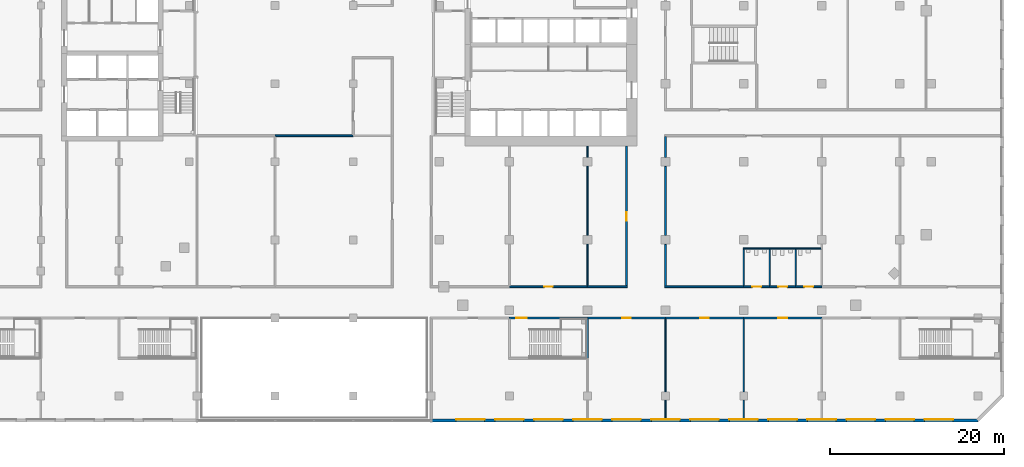
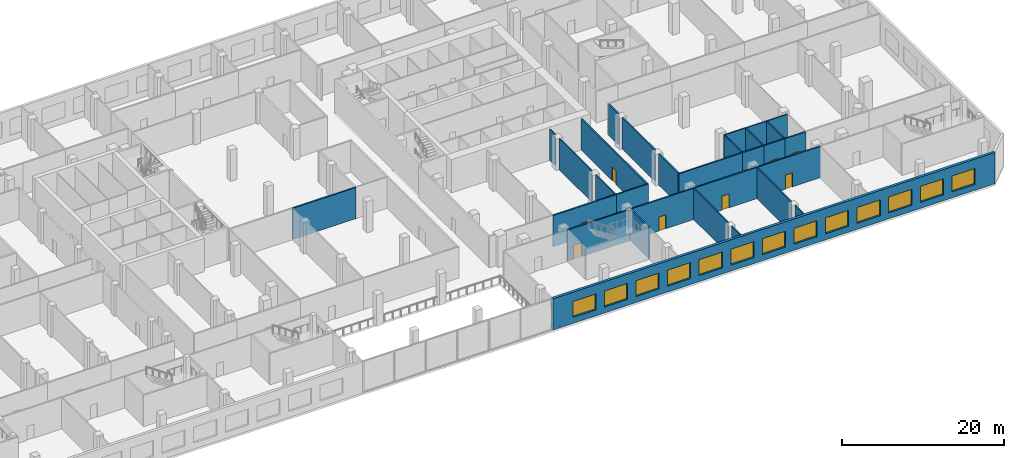
# One storey, part 11 of 23: 30 walls, 13 windows, 9 doors, 22 openings.
"""IFC4 building model written with IfcOpenShell, lengths in metres."""

from ifc_helpers import new_model, si_unit, direction, frame, frame_2d, origin, place, context, subcontext, project, spatial, rectangle, extrude, material, layer, layer_set, type_object, element, fill, save


model = new_model("IFC4")

# Units and contexts
model_context = context("Model", 3, precision=1e-05, world=origin(), true_north=direction((0.0, 1.0)))
body_context = subcontext(model_context, "Body", "Model", "MODEL_VIEW")
ifc_project = project(units=[si_unit("LENGTHUNIT", "METRE"), si_unit("AREAUNIT", "SQUARE_METRE"), si_unit("VOLUMEUNIT", "CUBIC_METRE"), si_unit("PLANEANGLEUNIT", "RADIAN"), si_unit("MASSUNIT", "GRAM", prefix="KILO")], contexts=[model_context])

# Site, building, storey
site_placement = place(None, origin())
site = spatial("IfcSite", under=ifc_project, at=site_placement, CompositionType="ELEMENT")
building_placement = place(site_placement, origin())
building = spatial("IfcBuilding", under=site, at=building_placement, Name="Cinnabar Reach Civic Tower", CompositionType="ELEMENT")
storey_placement = place(building_placement, frame((0.0, 0.0, 6.0)))
storey = spatial("IfcBuildingStorey", under=building, at=storey_placement, Name="L01", CompositionType="ELEMENT", Elevation=6.0)

# Wall, openings, windows
ifc_material_1 = material(Name="Facing brick with insulated backing", Category="masonry")
ifc_layer_1 = layer(ifc_material_1, 0.36)
ifc_layer_set_1 = layer_set([ifc_layer_1], Name="Brick pier and spandrel wall")
wall_type_1 = type_object("IfcWallType", Name="Brick pier and spandrel wall", PredefinedType="STANDARD", material=ifc_layer_set_1)
wall_1_placement = place(storey_placement, frame((0.0, -11.82, 0.0), z_axis=(0.0, 0.0, 1.0), x_axis=(1.0, 0.0, 0.0)))
wall_1 = element("IfcWall", 1, at=wall_1_placement, inside=storey, type_object=wall_type_1, Name="Brick facade wall", PredefinedType="STANDARD", context=body_context, shape_type="SweptSolid", body=[
    extrude(rectangle(XDim=63.0, YDim=0.36, at=frame_2d((31.5, 0.0))), origin(), (0.0, 0.0, 1.0), 4.7),
])
opening_1_placement = place(wall_1_placement, frame((2.85, 0.0, 0.9)))
opening_1 = element("IfcOpeningElement", 2, at=opening_1_placement, cuts=wall_1, Name="Opening W2862", PredefinedType="OPENING", context=body_context, shape_type="SweptSolid", body=[
    extrude(rectangle(XDim=3.3, YDim=2.4, at=frame_2d((1.65, 1.2))), frame((0.0, 0.19, 0.0), z_axis=(0.0, -1.0, 0.0), x_axis=(1.0, 0.0, 0.0)), (0.0, 0.0, 1.0), 0.38),
])
opening_2_placement = place(wall_1_placement, frame((7.35, 0.0, 0.9)))
opening_2 = element("IfcOpeningElement", 3, at=opening_2_placement, cuts=wall_1, Name="Opening W2863", PredefinedType="OPENING", context=body_context, shape_type="SweptSolid", body=[
    extrude(rectangle(XDim=3.3, YDim=2.4, at=frame_2d((1.65, 1.2))), frame((0.0, 0.19, 0.0), z_axis=(0.0, -1.0, 0.0), x_axis=(1.0, 0.0, 0.0)), (0.0, 0.0, 1.0), 0.38),
])
opening_3_placement = place(wall_1_placement, frame((11.85, 0.0, 0.9)))
opening_3 = element("IfcOpeningElement", 4, at=opening_3_placement, cuts=wall_1, Name="Opening W2864", PredefinedType="OPENING", context=body_context, shape_type="SweptSolid", body=[
    extrude(rectangle(XDim=3.3, YDim=2.4, at=frame_2d((1.65, 1.2))), frame((0.0, 0.19, 0.0), z_axis=(0.0, -1.0, 0.0), x_axis=(1.0, 0.0, 0.0)), (0.0, 0.0, 1.0), 0.38),
])
opening_4_placement = place(wall_1_placement, frame((16.35, 0.0, 0.9)))
opening_4 = element("IfcOpeningElement", 5, at=opening_4_placement, cuts=wall_1, Name="Opening W2865", PredefinedType="OPENING", context=body_context, shape_type="SweptSolid", body=[
    extrude(rectangle(XDim=3.3, YDim=2.4, at=frame_2d((1.65, 1.2))), frame((0.0, 0.19, 0.0), z_axis=(0.0, -1.0, 0.0), x_axis=(1.0, 0.0, 0.0)), (0.0, 0.0, 1.0), 0.38),
])
opening_5_placement = place(wall_1_placement, frame((20.85, 0.0, 0.9)))
opening_5 = element("IfcOpeningElement", 6, at=opening_5_placement, cuts=wall_1, Name="Opening W2866", PredefinedType="OPENING", context=body_context, shape_type="SweptSolid", body=[
    extrude(rectangle(XDim=3.3, YDim=2.4, at=frame_2d((1.65, 1.2))), frame((0.0, 0.19, 0.0), z_axis=(0.0, -1.0, 0.0), x_axis=(1.0, 0.0, 0.0)), (0.0, 0.0, 1.0), 0.38),
])
opening_6_placement = place(wall_1_placement, frame((25.35, 0.0, 0.9)))
opening_6 = element("IfcOpeningElement", 7, at=opening_6_placement, cuts=wall_1, Name="Opening W2867", PredefinedType="OPENING", context=body_context, shape_type="SweptSolid", body=[
    extrude(rectangle(XDim=3.3, YDim=2.4, at=frame_2d((1.65, 1.2))), frame((0.0, 0.19, 0.0), z_axis=(0.0, -1.0, 0.0), x_axis=(1.0, 0.0, 0.0)), (0.0, 0.0, 1.0), 0.38),
])
opening_7_placement = place(wall_1_placement, frame((29.85, 0.0, 0.9)))
opening_7 = element("IfcOpeningElement", 8, at=opening_7_placement, cuts=wall_1, Name="Opening W2868", PredefinedType="OPENING", context=body_context, shape_type="SweptSolid", body=[
    extrude(rectangle(XDim=3.3, YDim=2.4, at=frame_2d((1.65, 1.2))), frame((0.0, 0.19, 0.0), z_axis=(0.0, -1.0, 0.0), x_axis=(1.0, 0.0, 0.0)), (0.0, 0.0, 1.0), 0.38),
])
opening_8_placement = place(wall_1_placement, frame((34.35, 0.0, 0.9)))
opening_8 = element("IfcOpeningElement", 9, at=opening_8_placement, cuts=wall_1, Name="Opening W2869", PredefinedType="OPENING", context=body_context, shape_type="SweptSolid", body=[
    extrude(rectangle(XDim=3.3, YDim=2.4, at=frame_2d((1.65, 1.2))), frame((0.0, 0.19, 0.0), z_axis=(0.0, -1.0, 0.0), x_axis=(1.0, 0.0, 0.0)), (0.0, 0.0, 1.0), 0.38),
])
opening_9_placement = place(wall_1_placement, frame((38.85, 0.0, 0.9)))
opening_9 = element("IfcOpeningElement", 10, at=opening_9_placement, cuts=wall_1, Name="Opening W2870", PredefinedType="OPENING", context=body_context, shape_type="SweptSolid", body=[
    extrude(rectangle(XDim=3.3, YDim=2.4, at=frame_2d((1.65, 1.2))), frame((0.0, 0.19, 0.0), z_axis=(0.0, -1.0, 0.0), x_axis=(1.0, 0.0, 0.0)), (0.0, 0.0, 1.0), 0.38),
])
opening_10_placement = place(wall_1_placement, frame((43.35, 0.0, 0.9)))
opening_10 = element("IfcOpeningElement", 11, at=opening_10_placement, cuts=wall_1, Name="Opening W2871", PredefinedType="OPENING", context=body_context, shape_type="SweptSolid", body=[
    extrude(rectangle(XDim=3.3, YDim=2.4, at=frame_2d((1.65, 1.2))), frame((0.0, 0.19, 0.0), z_axis=(0.0, -1.0, 0.0), x_axis=(1.0, 0.0, 0.0)), (0.0, 0.0, 1.0), 0.38),
])
opening_11_placement = place(wall_1_placement, frame((47.85, 0.0, 0.9)))
opening_11 = element("IfcOpeningElement", 12, at=opening_11_placement, cuts=wall_1, Name="Opening W2872", PredefinedType="OPENING", context=body_context, shape_type="SweptSolid", body=[
    extrude(rectangle(XDim=3.3, YDim=2.4, at=frame_2d((1.65, 1.2))), frame((0.0, 0.19, 0.0), z_axis=(0.0, -1.0, 0.0), x_axis=(1.0, 0.0, 0.0)), (0.0, 0.0, 1.0), 0.38),
])
opening_12_placement = place(wall_1_placement, frame((52.35, 0.0, 0.9)))
opening_12 = element("IfcOpeningElement", 13, at=opening_12_placement, cuts=wall_1, Name="Opening W2873", PredefinedType="OPENING", context=body_context, shape_type="SweptSolid", body=[
    extrude(rectangle(XDim=3.3, YDim=2.4, at=frame_2d((1.65, 1.2))), frame((0.0, 0.19, 0.0), z_axis=(0.0, -1.0, 0.0), x_axis=(1.0, 0.0, 0.0)), (0.0, 0.0, 1.0), 0.38),
])
opening_13_placement = place(wall_1_placement, frame((56.85, 0.0, 0.9)))
opening_13 = element("IfcOpeningElement", 14, at=opening_13_placement, cuts=wall_1, Name="Opening W2874", PredefinedType="OPENING", context=body_context, shape_type="SweptSolid", body=[
    extrude(rectangle(XDim=3.3, YDim=2.4, at=frame_2d((1.65, 1.2))), frame((0.0, 0.19, 0.0), z_axis=(0.0, -1.0, 0.0), x_axis=(1.0, 0.0, 0.0)), (0.0, 0.0, 1.0), 0.38),
])
ifc_material_2 = material(Name="Clear double glazing in aluminium frame", Category="aluminium")
window_type = type_object("IfcWindowType", Name="Podium window P", PartitioningType="SINGLE_PANEL", PredefinedType="WINDOW", material=ifc_material_2)
window_1_placement = place(opening_1_placement, origin())
window_1 = element("IfcWindow", 15, at=window_1_placement, inside=storey, type_object=window_type, Name="Window south face", OverallHeight=2.4, OverallWidth=3.3, PartitioningType="SINGLE_PANEL", PredefinedType="WINDOW", context=body_context, shape_type="SweptSolid", body=[
    extrude(rectangle(XDim=3.3, YDim=2.4, at=frame_2d((1.65, 1.2))), frame((0.0, 0.13, 0.0), z_axis=(0.0, -1.0, 0.0), x_axis=(1.0, 0.0, 0.0)), (0.0, 0.0, 1.0), 0.06),
])
fill(opening_1, window_1)
window_2_placement = place(opening_2_placement, origin())
window_2 = element("IfcWindow", 16, at=window_2_placement, inside=storey, type_object=window_type, Name="Window south face", OverallHeight=2.4, OverallWidth=3.3, PartitioningType="SINGLE_PANEL", PredefinedType="WINDOW", context=body_context, shape_type="SweptSolid", body=[
    extrude(rectangle(XDim=3.3, YDim=2.4, at=frame_2d((1.65, 1.2))), frame((0.0, 0.13, 0.0), z_axis=(0.0, -1.0, 0.0), x_axis=(1.0, 0.0, 0.0)), (0.0, 0.0, 1.0), 0.06),
])
fill(opening_2, window_2)
window_3_placement = place(opening_3_placement, origin())
window_3 = element("IfcWindow", 17, at=window_3_placement, inside=storey, type_object=window_type, Name="Window south face", OverallHeight=2.4, OverallWidth=3.3, PartitioningType="SINGLE_PANEL", PredefinedType="WINDOW", context=body_context, shape_type="SweptSolid", body=[
    extrude(rectangle(XDim=3.3, YDim=2.4, at=frame_2d((1.65, 1.2))), frame((0.0, 0.13, 0.0), z_axis=(0.0, -1.0, 0.0), x_axis=(1.0, 0.0, 0.0)), (0.0, 0.0, 1.0), 0.06),
])
fill(opening_3, window_3)
window_4_placement = place(opening_4_placement, origin())
window_4 = element("IfcWindow", 18, at=window_4_placement, inside=storey, type_object=window_type, Name="Window south face", OverallHeight=2.4, OverallWidth=3.3, PartitioningType="SINGLE_PANEL", PredefinedType="WINDOW", context=body_context, shape_type="SweptSolid", body=[
    extrude(rectangle(XDim=3.3, YDim=2.4, at=frame_2d((1.65, 1.2))), frame((0.0, 0.13, 0.0), z_axis=(0.0, -1.0, 0.0), x_axis=(1.0, 0.0, 0.0)), (0.0, 0.0, 1.0), 0.06),
])
fill(opening_4, window_4)
window_5_placement = place(opening_5_placement, origin())
window_5 = element("IfcWindow", 19, at=window_5_placement, inside=storey, type_object=window_type, Name="Window south face", OverallHeight=2.4, OverallWidth=3.3, PartitioningType="SINGLE_PANEL", PredefinedType="WINDOW", context=body_context, shape_type="SweptSolid", body=[
    extrude(rectangle(XDim=3.3, YDim=2.4, at=frame_2d((1.65, 1.2))), frame((0.0, 0.13, 0.0), z_axis=(0.0, -1.0, 0.0), x_axis=(1.0, 0.0, 0.0)), (0.0, 0.0, 1.0), 0.06),
])
fill(opening_5, window_5)
window_6_placement = place(opening_6_placement, origin())
window_6 = element("IfcWindow", 20, at=window_6_placement, inside=storey, type_object=window_type, Name="Window south face", OverallHeight=2.4, OverallWidth=3.3, PartitioningType="SINGLE_PANEL", PredefinedType="WINDOW", context=body_context, shape_type="SweptSolid", body=[
    extrude(rectangle(XDim=3.3, YDim=2.4, at=frame_2d((1.65, 1.2))), frame((0.0, 0.13, 0.0), z_axis=(0.0, -1.0, 0.0), x_axis=(1.0, 0.0, 0.0)), (0.0, 0.0, 1.0), 0.06),
])
fill(opening_6, window_6)
window_7_placement = place(opening_7_placement, origin())
window_7 = element("IfcWindow", 21, at=window_7_placement, inside=storey, type_object=window_type, Name="Window south face", OverallHeight=2.4, OverallWidth=3.3, PartitioningType="SINGLE_PANEL", PredefinedType="WINDOW", context=body_context, shape_type="SweptSolid", body=[
    extrude(rectangle(XDim=3.3, YDim=2.4, at=frame_2d((1.65, 1.2))), frame((0.0, 0.13, 0.0), z_axis=(0.0, -1.0, 0.0), x_axis=(1.0, 0.0, 0.0)), (0.0, 0.0, 1.0), 0.06),
])
fill(opening_7, window_7)
window_8_placement = place(opening_8_placement, origin())
window_8 = element("IfcWindow", 22, at=window_8_placement, inside=storey, type_object=window_type, Name="Window south face", OverallHeight=2.4, OverallWidth=3.3, PartitioningType="SINGLE_PANEL", PredefinedType="WINDOW", context=body_context, shape_type="SweptSolid", body=[
    extrude(rectangle(XDim=3.3, YDim=2.4, at=frame_2d((1.65, 1.2))), frame((0.0, 0.13, 0.0), z_axis=(0.0, -1.0, 0.0), x_axis=(1.0, 0.0, 0.0)), (0.0, 0.0, 1.0), 0.06),
])
fill(opening_8, window_8)
window_9_placement = place(opening_9_placement, origin())
window_9 = element("IfcWindow", 23, at=window_9_placement, inside=storey, type_object=window_type, Name="Window south face", OverallHeight=2.4, OverallWidth=3.3, PartitioningType="SINGLE_PANEL", PredefinedType="WINDOW", context=body_context, shape_type="SweptSolid", body=[
    extrude(rectangle(XDim=3.3, YDim=2.4, at=frame_2d((1.65, 1.2))), frame((0.0, 0.13, 0.0), z_axis=(0.0, -1.0, 0.0), x_axis=(1.0, 0.0, 0.0)), (0.0, 0.0, 1.0), 0.06),
])
fill(opening_9, window_9)
window_10_placement = place(opening_10_placement, origin())
window_10 = element("IfcWindow", 24, at=window_10_placement, inside=storey, type_object=window_type, Name="Window south face", OverallHeight=2.4, OverallWidth=3.3, PartitioningType="SINGLE_PANEL", PredefinedType="WINDOW", context=body_context, shape_type="SweptSolid", body=[
    extrude(rectangle(XDim=3.3, YDim=2.4, at=frame_2d((1.65, 1.2))), frame((0.0, 0.13, 0.0), z_axis=(0.0, -1.0, 0.0), x_axis=(1.0, 0.0, 0.0)), (0.0, 0.0, 1.0), 0.06),
])
fill(opening_10, window_10)
window_11_placement = place(opening_11_placement, origin())
window_11 = element("IfcWindow", 25, at=window_11_placement, inside=storey, type_object=window_type, Name="Window south face", OverallHeight=2.4, OverallWidth=3.3, PartitioningType="SINGLE_PANEL", PredefinedType="WINDOW", context=body_context, shape_type="SweptSolid", body=[
    extrude(rectangle(XDim=3.3, YDim=2.4, at=frame_2d((1.65, 1.2))), frame((0.0, 0.13, 0.0), z_axis=(0.0, -1.0, 0.0), x_axis=(1.0, 0.0, 0.0)), (0.0, 0.0, 1.0), 0.06),
])
fill(opening_11, window_11)
window_12_placement = place(opening_12_placement, origin())
window_12 = element("IfcWindow", 26, at=window_12_placement, inside=storey, type_object=window_type, Name="Window south face", OverallHeight=2.4, OverallWidth=3.3, PartitioningType="SINGLE_PANEL", PredefinedType="WINDOW", context=body_context, shape_type="SweptSolid", body=[
    extrude(rectangle(XDim=3.3, YDim=2.4, at=frame_2d((1.65, 1.2))), frame((0.0, 0.13, 0.0), z_axis=(0.0, -1.0, 0.0), x_axis=(1.0, 0.0, 0.0)), (0.0, 0.0, 1.0), 0.06),
])
fill(opening_12, window_12)
window_13_placement = place(opening_13_placement, origin())
window_13 = element("IfcWindow", 27, at=window_13_placement, inside=storey, type_object=window_type, Name="Window south face", OverallHeight=2.4, OverallWidth=3.3, PartitioningType="SINGLE_PANEL", PredefinedType="WINDOW", context=body_context, shape_type="SweptSolid", body=[
    extrude(rectangle(XDim=3.3, YDim=2.4, at=frame_2d((1.65, 1.2))), frame((0.0, 0.13, 0.0), z_axis=(0.0, -1.0, 0.0), x_axis=(1.0, 0.0, 0.0)), (0.0, 0.0, 1.0), 0.06),
])
fill(opening_13, window_13)

# Wall, opening, door
ifc_material_3 = material(Name="Concrete blockwork", Category="masonry")
ifc_layer_2 = layer(ifc_material_3, 0.2)
ifc_layer_set_2 = layer_set([ifc_layer_2], Name="Podium masonry corridor wall 200 EI 120")
wall_type_2 = type_object("IfcWallType", Name="Podium masonry corridor wall 200 EI 120", PredefinedType="PARTITIONING", material=ifc_layer_set_2)
wall_2_placement = place(storey_placement, frame((18.0, 0.0, 0.0), z_axis=(0.0, 0.0, 1.0), x_axis=(1.0, 0.0, 0.0)))
wall_2 = element("IfcWall", 28, at=wall_2_placement, inside=storey, type_object=wall_type_2, Name="Wall L01 55", PredefinedType="PARTITIONING", context=body_context, shape_type="SweptSolid", body=[
    extrude(rectangle(XDim=9.0, YDim=0.2, at=frame_2d((4.5, 0.0))), origin(), (0.0, 0.0, 1.0), 4.7),
])
opening_14_placement = place(wall_2_placement, frame((4.0, 0.0, 0.0)))
opening_14 = element("IfcOpeningElement", 29, at=opening_14_placement, cuts=wall_2, Name="Opening D1054", PredefinedType="OPENING", context=body_context, shape_type="SweptSolid", body=[
    extrude(rectangle(XDim=1.0, YDim=2.1, at=frame_2d((0.5, 1.05))), frame((0.0, 0.11, 0.0), z_axis=(0.0, -1.0, 0.0), x_axis=(1.0, 0.0, 0.0)), (0.0, 0.0, 1.0), 0.22),
])
ifc_material_4 = material(Name="Painted steel door leaf", Category="steel")
door_type_1 = type_object("IfcDoorType", Name="Podium single door 1000x2100", OperationType="SINGLE_SWING_LEFT", PredefinedType="DOOR", material=ifc_material_4)
door_1_placement = place(opening_14_placement, frame((1.0, 0.0, 0.0), z_axis=(0.0, 0.0, 1.0), x_axis=(-1.0, 0.0, 0.0)))
door_1 = element("IfcDoor", 30, at=door_1_placement, inside=storey, type_object=door_type_1, Name="Door D1054", OperationType="SINGLE_SWING_RIGHT", OverallHeight=2.1, OverallWidth=1.0, PredefinedType="DOOR", context=body_context, shape_type="SweptSolid", body=[
    extrude(rectangle(XDim=1.0, YDim=2.1, at=frame_2d((0.5, 1.05))), frame((0.0, 0.025, 0.0), z_axis=(0.0, -1.0, 0.0), x_axis=(1.0, 0.0, 0.0)), (0.0, 0.0, 1.0), 0.05),
])
fill(opening_14, door_1)

wall_3_placement = place(storey_placement, frame((27.0, 0.0, 0.0), z_axis=(0.0, 0.0, 1.0), x_axis=(1.0, 0.0, 0.0)))
wall_3 = element("IfcWall", 31, at=wall_3_placement, inside=storey, type_object=wall_type_2, Name="Wall L01 56", PredefinedType="PARTITIONING", context=body_context, shape_type="SweptSolid", body=[
    extrude(rectangle(XDim=9.0, YDim=0.2, at=frame_2d((4.5, 0.0))), origin(), (0.0, 0.0, 1.0), 4.7),
])
opening_15_placement = place(wall_3_placement, frame((4.0, 0.0, 0.0)))
opening_15 = element("IfcOpeningElement", 32, at=opening_15_placement, cuts=wall_3, Name="Opening D1055", PredefinedType="OPENING", context=body_context, shape_type="SweptSolid", body=[
    extrude(rectangle(XDim=1.0, YDim=2.1, at=frame_2d((0.5, 1.05))), frame((0.0, 0.11, 0.0), z_axis=(0.0, -1.0, 0.0), x_axis=(1.0, 0.0, 0.0)), (0.0, 0.0, 1.0), 0.22),
])
door_2_placement = place(opening_15_placement, origin())
door_2 = element("IfcDoor", 33, at=door_2_placement, inside=storey, type_object=door_type_1, Name="Door D1055", OperationType="SINGLE_SWING_LEFT", OverallHeight=2.1, OverallWidth=1.0, PredefinedType="DOOR", context=body_context, shape_type="SweptSolid", body=[
    extrude(rectangle(XDim=1.0, YDim=2.1, at=frame_2d((0.5, 1.05))), frame((0.0, 0.025, 0.0), z_axis=(0.0, -1.0, 0.0), x_axis=(1.0, 0.0, 0.0)), (0.0, 0.0, 1.0), 0.05),
])
fill(opening_15, door_2)

wall_4_placement = place(storey_placement, frame((36.0, 0.0, 0.0), z_axis=(0.0, 0.0, 1.0), x_axis=(1.0, 0.0, 0.0)))
wall_4 = element("IfcWall", 34, at=wall_4_placement, inside=storey, type_object=wall_type_2, Name="Wall L01 57", PredefinedType="PARTITIONING", context=body_context, shape_type="SweptSolid", body=[
    extrude(rectangle(XDim=9.0, YDim=0.2, at=frame_2d((4.5, 0.0))), origin(), (0.0, 0.0, 1.0), 4.7),
])
opening_16_placement = place(wall_4_placement, frame((4.0, 0.0, 0.0)))
opening_16 = element("IfcOpeningElement", 35, at=opening_16_placement, cuts=wall_4, Name="Opening D1056", PredefinedType="OPENING", context=body_context, shape_type="SweptSolid", body=[
    extrude(rectangle(XDim=1.0, YDim=2.1, at=frame_2d((0.5, 1.05))), frame((0.0, 0.11, 0.0), z_axis=(0.0, -1.0, 0.0), x_axis=(1.0, 0.0, 0.0)), (0.0, 0.0, 1.0), 0.22),
])
door_3_placement = place(opening_16_placement, frame((1.0, 0.0, 0.0), z_axis=(0.0, 0.0, 1.0), x_axis=(-1.0, 0.0, 0.0)))
door_3 = element("IfcDoor", 36, at=door_3_placement, inside=storey, type_object=door_type_1, Name="Door D1056", OperationType="SINGLE_SWING_RIGHT", OverallHeight=2.1, OverallWidth=1.0, PredefinedType="DOOR", context=body_context, shape_type="SweptSolid", body=[
    extrude(rectangle(XDim=1.0, YDim=2.1, at=frame_2d((0.5, 1.05))), frame((0.0, 0.025, 0.0), z_axis=(0.0, -1.0, 0.0), x_axis=(1.0, 0.0, 0.0)), (0.0, 0.0, 1.0), 0.05),
])
fill(opening_16, door_3)

wall_5_placement = place(storey_placement, frame((9.0, 3.6, 0.0), z_axis=(0.0, 0.0, 1.0), x_axis=(1.0, 0.0, 0.0)))
wall_5 = element("IfcWall", 37, at=wall_5_placement, inside=storey, type_object=wall_type_2, Name="Wall L01 61", PredefinedType="PARTITIONING", context=body_context, shape_type="SweptSolid", body=[
    extrude(rectangle(XDim=9.0, YDim=0.2, at=frame_2d((4.5, 0.0))), origin(), (0.0, 0.0, 1.0), 4.7),
])
opening_17_placement = place(wall_5_placement, frame((4.0, 0.0, 0.0)))
opening_17 = element("IfcOpeningElement", 38, at=opening_17_placement, cuts=wall_5, Name="Opening D1065", PredefinedType="OPENING", context=body_context, shape_type="SweptSolid", body=[
    extrude(rectangle(XDim=1.0, YDim=2.1, at=frame_2d((0.5, 1.05))), frame((0.0, 0.11, 0.0), z_axis=(0.0, -1.0, 0.0), x_axis=(1.0, 0.0, 0.0)), (0.0, 0.0, 1.0), 0.22),
])
door_4_placement = place(opening_17_placement, origin())
door_4 = element("IfcDoor", 39, at=door_4_placement, inside=storey, type_object=door_type_1, Name="Door D1065", OperationType="SINGLE_SWING_RIGHT", OverallHeight=2.1, OverallWidth=1.0, PredefinedType="DOOR", context=body_context, shape_type="SweptSolid", body=[
    extrude(rectangle(XDim=1.0, YDim=2.1, at=frame_2d((0.5, 1.05))), frame((0.0, 0.025, 0.0), z_axis=(0.0, -1.0, 0.0), x_axis=(1.0, 0.0, 0.0)), (0.0, 0.0, 1.0), 0.05),
])
fill(opening_17, door_4)

# Walls
wall_6_placement = place(storey_placement, frame((18.0, 3.6, 0.0), z_axis=(0.0, 0.0, 1.0), x_axis=(1.0, 0.0, 0.0)))
element("IfcWall", 40, at=wall_6_placement, inside=storey, type_object=wall_type_2, Name="Wall L01 62", PredefinedType="PARTITIONING", context=body_context, shape_type="SweptSolid", body=[
    extrude(rectangle(XDim=4.6, YDim=0.2, at=frame_2d((2.3, 0.0))), origin(), (0.0, 0.0, 1.0), 4.7),
])
wall_7_placement = place(storey_placement, frame((26.9, 3.6, 0.0), z_axis=(0.0, 0.0, 1.0), x_axis=(1.0, 0.0, 0.0)))
element("IfcWall", 41, at=wall_7_placement, inside=storey, type_object=wall_type_2, Name="Wall L01 63", PredefinedType="PARTITIONING", context=body_context, shape_type="SweptSolid", body=[
    extrude(rectangle(XDim=9.1, YDim=0.2, at=frame_2d((4.55, 0.0))), origin(), (0.0, 0.0, 1.0), 4.7),
])

# Wall, opening, door
wall_8_placement = place(storey_placement, frame((36.0, 3.6, 0.0), z_axis=(0.0, 0.0, 1.0), x_axis=(1.0, 0.0, 0.0)))
wall_8 = element("IfcWall", 42, at=wall_8_placement, inside=storey, type_object=wall_type_2, Name="Wall L01 64", PredefinedType="PARTITIONING", context=body_context, shape_type="SweptSolid", body=[
    extrude(rectangle(XDim=3.0, YDim=0.2, at=frame_2d((1.5, 0.0))), origin(), (0.0, 0.0, 1.0), 4.7),
])
opening_18_placement = place(wall_8_placement, frame((1.0, 0.0, 0.0)))
opening_18 = element("IfcOpeningElement", 43, at=opening_18_placement, cuts=wall_8, Name="Opening D1068", PredefinedType="OPENING", context=body_context, shape_type="SweptSolid", body=[
    extrude(rectangle(XDim=1.0, YDim=2.1, at=frame_2d((0.5, 1.05))), frame((0.0, 0.11, 0.0), z_axis=(0.0, -1.0, 0.0), x_axis=(1.0, 0.0, 0.0)), (0.0, 0.0, 1.0), 0.22),
])
door_5_placement = place(opening_18_placement, origin())
door_5 = element("IfcDoor", 44, at=door_5_placement, inside=storey, type_object=door_type_1, Name="Door D1068", OperationType="SINGLE_SWING_RIGHT", OverallHeight=2.1, OverallWidth=1.0, PredefinedType="DOOR", context=body_context, shape_type="SweptSolid", body=[
    extrude(rectangle(XDim=1.0, YDim=2.1, at=frame_2d((0.5, 1.05))), frame((0.0, 0.025, 0.0), z_axis=(0.0, -1.0, 0.0), x_axis=(1.0, 0.0, 0.0)), (0.0, 0.0, 1.0), 0.05),
])
fill(opening_18, door_5)

wall_9_placement = place(storey_placement, frame((39.0, 3.6, 0.0), z_axis=(0.0, 0.0, 1.0), x_axis=(1.0, 0.0, 0.0)))
wall_9 = element("IfcWall", 45, at=wall_9_placement, inside=storey, type_object=wall_type_2, Name="Wall L01 65", PredefinedType="PARTITIONING", context=body_context, shape_type="SweptSolid", body=[
    extrude(rectangle(XDim=3.0, YDim=0.2, at=frame_2d((1.5, 0.0))), origin(), (0.0, 0.0, 1.0), 4.7),
])
opening_19_placement = place(wall_9_placement, frame((1.0, 0.0, 0.0)))
opening_19 = element("IfcOpeningElement", 46, at=opening_19_placement, cuts=wall_9, Name="Opening D1069", PredefinedType="OPENING", context=body_context, shape_type="SweptSolid", body=[
    extrude(rectangle(XDim=1.0, YDim=2.1, at=frame_2d((0.5, 1.05))), frame((0.0, 0.11, 0.0), z_axis=(0.0, -1.0, 0.0), x_axis=(1.0, 0.0, 0.0)), (0.0, 0.0, 1.0), 0.22),
])
door_6_placement = place(opening_19_placement, origin())
door_6 = element("IfcDoor", 47, at=door_6_placement, inside=storey, type_object=door_type_1, Name="Door D1069", OperationType="SINGLE_SWING_LEFT", OverallHeight=2.1, OverallWidth=1.0, PredefinedType="DOOR", context=body_context, shape_type="SweptSolid", body=[
    extrude(rectangle(XDim=1.0, YDim=2.1, at=frame_2d((0.5, 1.05))), frame((0.0, 0.025, 0.0), z_axis=(0.0, -1.0, 0.0), x_axis=(1.0, 0.0, 0.0)), (0.0, 0.0, 1.0), 0.05),
])
fill(opening_19, door_6)

wall_10_placement = place(storey_placement, frame((42.0, 3.6, 0.0), z_axis=(0.0, 0.0, 1.0), x_axis=(1.0, 0.0, 0.0)))
wall_10 = element("IfcWall", 48, at=wall_10_placement, inside=storey, type_object=wall_type_2, Name="Wall L01 66", PredefinedType="PARTITIONING", context=body_context, shape_type="SweptSolid", body=[
    extrude(rectangle(XDim=3.0, YDim=0.2, at=frame_2d((1.5, 0.0))), origin(), (0.0, 0.0, 1.0), 4.7),
])
opening_20_placement = place(wall_10_placement, frame((1.0, 0.0, 0.0)))
opening_20 = element("IfcOpeningElement", 49, at=opening_20_placement, cuts=wall_10, Name="Opening D1070", PredefinedType="OPENING", context=body_context, shape_type="SweptSolid", body=[
    extrude(rectangle(XDim=1.0, YDim=2.1, at=frame_2d((0.5, 1.05))), frame((0.0, 0.11, 0.0), z_axis=(0.0, -1.0, 0.0), x_axis=(1.0, 0.0, 0.0)), (0.0, 0.0, 1.0), 0.22),
])
door_7_placement = place(opening_20_placement, origin())
door_7 = element("IfcDoor", 50, at=door_7_placement, inside=storey, type_object=door_type_1, Name="Door D1070", OperationType="SINGLE_SWING_RIGHT", OverallHeight=2.1, OverallWidth=1.0, PredefinedType="DOOR", context=body_context, shape_type="SweptSolid", body=[
    extrude(rectangle(XDim=1.0, YDim=2.1, at=frame_2d((0.5, 1.05))), frame((0.0, 0.025, 0.0), z_axis=(0.0, -1.0, 0.0), x_axis=(1.0, 0.0, 0.0)), (0.0, 0.0, 1.0), 0.05),
])
fill(opening_20, door_7)

wall_11_placement = place(storey_placement, frame((22.5, 3.7, 0.0), z_axis=(0.0, 0.0, 1.0), x_axis=(0.0, 1.0, 0.0)))
wall_11 = element("IfcWall", 51, at=wall_11_placement, inside=storey, type_object=wall_type_2, Name="Wall L01 109", PredefinedType="PARTITIONING", context=body_context, shape_type="SweptSolid", body=[
    extrude(rectangle(XDim=16.1, YDim=0.2, at=frame_2d((8.05, 0.0))), origin(), (0.0, 0.0, 1.0), 4.7),
])
opening_21_placement = place(wall_11_placement, frame((7.5, 0.0, 0.0)))
opening_21 = element("IfcOpeningElement", 52, at=opening_21_placement, cuts=wall_11, Name="Opening D1066", PredefinedType="OPENING", context=body_context, shape_type="SweptSolid", body=[
    extrude(rectangle(XDim=1.0, YDim=2.1, at=frame_2d((0.5, 1.05))), frame((0.0, 0.11, 0.0), z_axis=(0.0, -1.0, 0.0), x_axis=(1.0, 0.0, 0.0)), (0.0, 0.0, 1.0), 0.22),
])
door_8_placement = place(opening_21_placement, origin())
door_8 = element("IfcDoor", 53, at=door_8_placement, inside=storey, type_object=door_type_1, Name="Door D1066", OperationType="SINGLE_SWING_LEFT", OverallHeight=2.1, OverallWidth=1.0, PredefinedType="DOOR", context=body_context, shape_type="SweptSolid", body=[
    extrude(rectangle(XDim=1.0, YDim=2.1, at=frame_2d((0.5, 1.05))), frame((0.0, 0.025, 0.0), z_axis=(0.0, -1.0, 0.0), x_axis=(1.0, 0.0, 0.0)), (0.0, 0.0, 1.0), 0.05),
])
fill(opening_21, door_8)

# Walls
wall_12_placement = place(storey_placement, frame((27.0, 3.7, 0.0), z_axis=(0.0, 0.0, 1.0), x_axis=(0.0, 1.0, 0.0)))
element("IfcWall", 54, at=wall_12_placement, inside=storey, type_object=wall_type_2, Name="Wall L01 110", PredefinedType="PARTITIONING", context=body_context, shape_type="SweptSolid", body=[
    extrude(rectangle(XDim=4.78, YDim=0.2, at=frame_2d((2.39, 0.0))), origin(), (0.0, 0.0, 1.0), 4.7),
])
wall_13_placement = place(storey_placement, frame((27.0, 9.52, 0.0), z_axis=(0.0, 0.0, 1.0), x_axis=(0.0, 1.0, 0.0)))
element("IfcWall", 55, at=wall_13_placement, inside=storey, type_object=wall_type_2, Name="Wall L01 111", PredefinedType="PARTITIONING", context=body_context, shape_type="SweptSolid", body=[
    extrude(rectangle(XDim=7.96, YDim=0.2, at=frame_2d((3.98, 0.0))), origin(), (0.0, 0.0, 1.0), 4.7),
])
wall_14_placement = place(storey_placement, frame((27.0, 18.52, 0.0), z_axis=(0.0, 0.0, 1.0), x_axis=(0.0, 1.0, 0.0)))
element("IfcWall", 56, at=wall_14_placement, inside=storey, type_object=wall_type_2, Name="Wall L01 112", PredefinedType="PARTITIONING", context=body_context, shape_type="SweptSolid", body=[
    extrude(rectangle(XDim=2.38, YDim=0.2, at=frame_2d((1.19, 0.0))), origin(), (0.0, 0.0, 1.0), 4.7),
])
wall_15_placement = place(storey_placement, frame((-18.0, 21.0, 0.0), z_axis=(0.0, 0.0, 1.0), x_axis=(1.0, 0.0, 0.0)))
element("IfcWall", 57, at=wall_15_placement, inside=storey, type_object=wall_type_2, Name="Wall L01 137", PredefinedType="PARTITIONING", context=body_context, shape_type="SweptSolid", body=[
    extrude(rectangle(XDim=9.0, YDim=0.2, at=frame_2d((4.5, 0.0))), origin(), (0.0, 0.0, 1.0), 4.7),
])
ifc_material_5 = material(Name="Gypsum board on steel studs", Category="steel")
ifc_layer_3 = layer(ifc_material_5, 0.15)
ifc_layer_set_3 = layer_set([ifc_layer_3], Name="Podium partition wall 150 EI 90")
wall_type_3 = type_object("IfcWallType", Name="Podium partition wall 150 EI 90", PredefinedType="PARTITIONING", material=ifc_layer_set_3)
wall_16_placement = place(storey_placement, frame((27.0, -11.6, 0.0), z_axis=(0.0, 0.0, 1.0), x_axis=(0.0, 1.0, 0.0)))
element("IfcWall", 58, at=wall_16_placement, inside=storey, type_object=wall_type_3, Name="Wall L01 165", PredefinedType="PARTITIONING", context=body_context, shape_type="SweptSolid", body=[
    extrude(rectangle(XDim=2.13, YDim=0.15, at=frame_2d((1.065, 0.0))), origin(), (0.0, 0.0, 1.0), 4.7),
])
wall_17_placement = place(storey_placement, frame((27.0, -8.53, 0.0), z_axis=(0.0, 0.0, 1.0), x_axis=(0.0, 1.0, 0.0)))
element("IfcWall", 59, at=wall_17_placement, inside=storey, type_object=wall_type_3, Name="Wall L01 166", PredefinedType="PARTITIONING", context=body_context, shape_type="SweptSolid", body=[
    extrude(rectangle(XDim=8.43, YDim=0.15, at=frame_2d((4.215, 0.0))), origin(), (0.0, 0.0, 1.0), 4.7),
])
wall_18_placement = place(storey_placement, frame((36.0, -11.6, 0.0), z_axis=(0.0, 0.0, 1.0), x_axis=(0.0, 1.0, 0.0)))
element("IfcWall", 60, at=wall_18_placement, inside=storey, type_object=wall_type_3, Name="Wall L01 167", PredefinedType="PARTITIONING", context=body_context, shape_type="SweptSolid", body=[
    extrude(rectangle(XDim=2.13, YDim=0.15, at=frame_2d((1.065, 0.0))), origin(), (0.0, 0.0, 1.0), 4.7),
])
wall_19_placement = place(storey_placement, frame((36.0, -8.53, 0.0), z_axis=(0.0, 0.0, 1.0), x_axis=(0.0, 1.0, 0.0)))
element("IfcWall", 61, at=wall_19_placement, inside=storey, type_object=wall_type_3, Name="Wall L01 168", PredefinedType="PARTITIONING", context=body_context, shape_type="SweptSolid", body=[
    extrude(rectangle(XDim=8.43, YDim=0.15, at=frame_2d((4.215, 0.0))), origin(), (0.0, 0.0, 1.0), 4.7),
])
wall_20_placement = place(storey_placement, frame((18.0, 3.7, 0.0), z_axis=(0.0, 0.0, 1.0), x_axis=(0.0, 1.0, 0.0)))
element("IfcWall", 62, at=wall_20_placement, inside=storey, type_object=wall_type_3, Name="Wall L01 187", PredefinedType="PARTITIONING", context=body_context, shape_type="SweptSolid", body=[
    extrude(rectangle(XDim=4.78, YDim=0.15, at=frame_2d((2.39, 0.0))), origin(), (0.0, 0.0, 1.0), 4.7),
])
wall_21_placement = place(storey_placement, frame((18.0, 9.52, 0.0), z_axis=(0.0, 0.0, 1.0), x_axis=(0.0, 1.0, 0.0)))
element("IfcWall", 63, at=wall_21_placement, inside=storey, type_object=wall_type_3, Name="Wall L01 188", PredefinedType="PARTITIONING", context=body_context, shape_type="SweptSolid", body=[
    extrude(rectangle(XDim=7.96, YDim=0.15, at=frame_2d((3.98, 0.0))), origin(), (0.0, 0.0, 1.0), 4.7),
])
wall_22_placement = place(storey_placement, frame((18.0, 18.52, 0.0), z_axis=(0.0, 0.0, 1.0), x_axis=(0.0, 1.0, 0.0)))
element("IfcWall", 64, at=wall_22_placement, inside=storey, type_object=wall_type_3, Name="Wall L01 189", PredefinedType="PARTITIONING", context=body_context, shape_type="SweptSolid", body=[
    extrude(rectangle(XDim=1.28, YDim=0.15, at=frame_2d((0.64, 0.0))), origin(), (0.0, 0.0, 1.0), 4.7),
])
wall_23_placement = place(storey_placement, frame((35.925, 8.0, 0.0), z_axis=(0.0, 0.0, 1.0), x_axis=(1.0, 0.0, 0.0)))
element("IfcWall", 65, at=wall_23_placement, inside=storey, type_object=wall_type_3, Name="Wall L01 190", PredefinedType="PARTITIONING", context=body_context, shape_type="SweptSolid", body=[
    extrude(rectangle(XDim=3.075, YDim=0.15, at=frame_2d((1.5375, 0.0))), origin(), (0.0, 0.0, 1.0), 4.7),
])
wall_24_placement = place(storey_placement, frame((36.0, 3.7, 0.0), z_axis=(0.0, 0.0, 1.0), x_axis=(0.0, 1.0, 0.0)))
element("IfcWall", 66, at=wall_24_placement, inside=storey, type_object=wall_type_3, Name="Wall L01 191", PredefinedType="PARTITIONING", context=body_context, shape_type="SweptSolid", body=[
    extrude(rectangle(XDim=4.225, YDim=0.15, at=frame_2d((2.1125, 0.0))), origin(), (0.0, 0.0, 1.0), 4.7),
])
wall_25_placement = place(storey_placement, frame((39.0, 8.0, 0.0), z_axis=(0.0, 0.0, 1.0), x_axis=(1.0, 0.0, 0.0)))
element("IfcWall", 67, at=wall_25_placement, inside=storey, type_object=wall_type_3, Name="Wall L01 192", PredefinedType="PARTITIONING", context=body_context, shape_type="SweptSolid", body=[
    extrude(rectangle(XDim=3.0, YDim=0.15, at=frame_2d((1.5, 0.0))), origin(), (0.0, 0.0, 1.0), 4.7),
])
wall_26_placement = place(storey_placement, frame((42.0, 8.0, 0.0), z_axis=(0.0, 0.0, 1.0), x_axis=(1.0, 0.0, 0.0)))
element("IfcWall", 68, at=wall_26_placement, inside=storey, type_object=wall_type_3, Name="Wall L01 193", PredefinedType="PARTITIONING", context=body_context, shape_type="SweptSolid", body=[
    extrude(rectangle(XDim=2.925, YDim=0.15, at=frame_2d((1.4625, 0.0))), origin(), (0.0, 0.0, 1.0), 4.7),
])
for number, where, z_axis, x_axis, name in (
    (69, (39.0, 3.7, 0.0), (0.0, 0.0, 1.0), (0.0, 1.0, 0.0), "Wall L01 197"),
    (70, (42.0, 3.7, 0.0), (0.0, 0.0, 1.0), (0.0, 1.0, 0.0), "Wall L01 198"),
):
    element("IfcWall", number, at=place(storey_placement, frame(where, z_axis=z_axis, x_axis=x_axis)), inside=storey, type_object=wall_type_3, Name=name, PredefinedType="PARTITIONING", context=body_context, shape_type="SweptSolid", body=[
        extrude(rectangle(XDim=4.225, YDim=0.15, at=frame_2d((2.1125, 0.0))), origin(), (0.0, 0.0, 1.0), 4.7),
    ])

# Wall, opening, door
ifc_material_6 = material(Name="Concrete C40", Category="concrete")
ifc_layer_4 = layer(ifc_material_6, 0.2)
ifc_layer_set_4 = layer_set([ifc_layer_4], Name="Podium stair shaft wall 200 EI 120")
wall_type_4 = type_object("IfcWallType", Name="Podium stair shaft wall 200 EI 120", PredefinedType="SOLIDWALL", material=ifc_layer_set_4)
wall_27_placement = place(storey_placement, frame((9.0, 0.0, 0.0), z_axis=(0.0, 0.0, 1.0), x_axis=(1.0, 0.0, 0.0)))
wall_27 = element("IfcWall", 71, at=wall_27_placement, inside=storey, type_object=wall_type_4, Name="Wall L01 9", PredefinedType="SOLIDWALL", context=body_context, shape_type="SweptSolid", body=[
    extrude(rectangle(XDim=9.0, YDim=0.2, at=frame_2d((4.5, 0.0))), origin(), (0.0, 0.0, 1.0), 4.7),
])
opening_22_placement = place(wall_27_placement, frame((0.8, 0.0, 0.0)))
opening_22 = element("IfcOpeningElement", 72, at=opening_22_placement, cuts=wall_27, Name="Opening D1095", PredefinedType="OPENING", context=body_context, shape_type="SweptSolid", body=[
    extrude(rectangle(XDim=1.2, YDim=2.1, at=frame_2d((0.6, 1.05))), frame((0.0, 0.11, 0.0), z_axis=(0.0, -1.0, 0.0), x_axis=(1.0, 0.0, 0.0)), (0.0, 0.0, 1.0), 0.22),
])
door_type_2 = type_object("IfcDoorType", Name="Podium single door 1200x2100", OperationType="SINGLE_SWING_LEFT", PredefinedType="DOOR", material=ifc_material_4)
door_9_placement = place(opening_22_placement, frame((1.2, 0.0, 0.0), z_axis=(0.0, 0.0, 1.0), x_axis=(-1.0, 0.0, 0.0)))
door_9 = element("IfcDoor", 73, at=door_9_placement, inside=storey, type_object=door_type_2, Name="Door D1095", OperationType="SINGLE_SWING_LEFT", OverallHeight=2.1, OverallWidth=1.2, PredefinedType="DOOR", context=body_context, shape_type="SweptSolid", body=[
    extrude(rectangle(XDim=1.2, YDim=2.1, at=frame_2d((0.6, 1.05))), frame((0.0, 0.025, 0.0), z_axis=(0.0, -1.0, 0.0), x_axis=(1.0, 0.0, 0.0)), (0.0, 0.0, 1.0), 0.05),
])
fill(opening_22, door_9)

# Wall
wall_28_placement = place(storey_placement, frame((18.0, -4.65, 0.0), z_axis=(0.0, 0.0, 1.0), x_axis=(0.0, 1.0, 0.0)))
element("IfcWall", 74, at=wall_28_placement, inside=storey, type_object=wall_type_4, Name="Wall L01 12", PredefinedType="SOLIDWALL", context=body_context, shape_type="SweptSolid", body=[
    extrude(rectangle(XDim=4.55, YDim=0.2, at=frame_2d((2.275, 0.0))), origin(), (0.0, 0.0, 1.0), 4.7),
])

save(model, "model.ifc")
